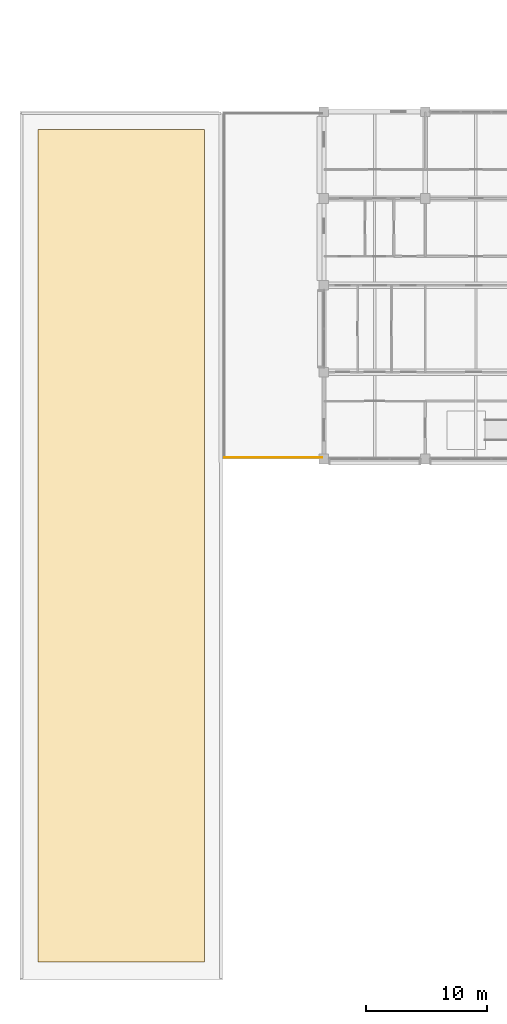
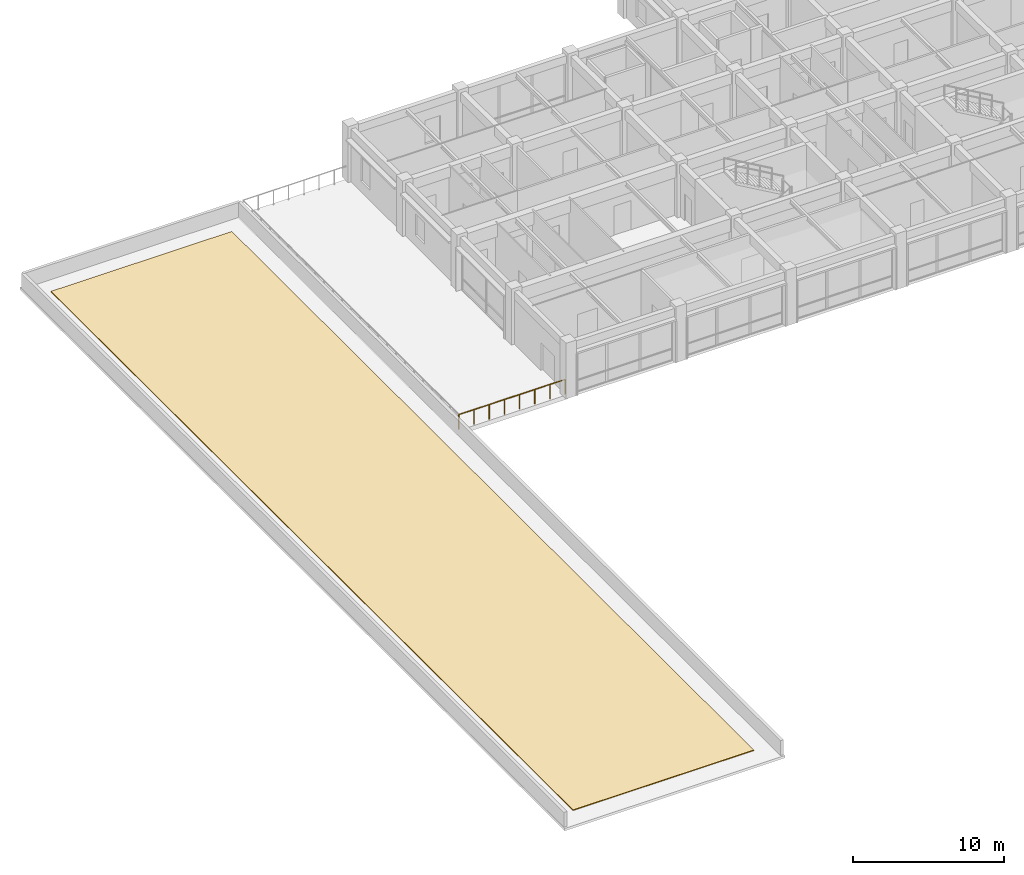
# One storey, part 34 of 40: 1 covering, 1 railing.
"""IFC4 building model written with IfcOpenShell, lengths in metres."""

from ifc_helpers import new_model, si_unit, direction, frame, origin, origin_2d, place, context, subcontext, project, spatial, polyline, circle, outline, extrude, material, layer, layer_set, type_object, element, save


model = new_model("IFC4")

# Units and contexts
model_context = context("Model", 3, precision=1e-05, world=origin(), true_north=direction((0.0, 1.0)))
body_context = subcontext(model_context, "Body", "Model", "MODEL_VIEW")
ifc_project = project(units=[si_unit("LENGTHUNIT", "METRE"), si_unit("AREAUNIT", "SQUARE_METRE"), si_unit("VOLUMEUNIT", "CUBIC_METRE"), si_unit("PLANEANGLEUNIT", "RADIAN"), si_unit("MASSUNIT", "GRAM", prefix="KILO")], contexts=[model_context])

# Site, building, storey
site_placement = place(None, origin())
site = spatial("IfcSite", under=ifc_project, at=site_placement, CompositionType="ELEMENT")
building_placement = place(site_placement, origin())
building = spatial("IfcBuilding", under=site, at=building_placement, Name="Chengyuan Square Courthouse", CompositionType="ELEMENT")
storey_placement = place(building_placement, frame((0.0, 0.0, 21.60009765625)))
storey = spatial("IfcBuildingStorey", under=building, at=storey_placement, Name="L05", CompositionType="ELEMENT", Elevation=21.60009765625)

# Covering
ifc_material_1 = material(Name="TPO Waterproof Membrane and Extruded Polystyrene Insulation")
ifc_layer = layer(ifc_material_1, 0.06005859375)
ifc_layer_set = layer_set([ifc_layer], Name="TPO Waterproof Membrane and Extruded Polystyrene Insulation")
covering_type = type_object("IfcCoveringType", Name="RFG-01", PredefinedType="ROOFING", material=ifc_layer_set)
covering_placement = place(storey_placement, origin())
element("IfcCovering", 1, at=covering_placement, inside=storey, type_object=covering_type, Name="Roof Waterproofing Membrane RFG-L05-03", PredefinedType="ROOFING", context=body_context, shape_type="SweptSolid", body=[
    extrude(outline(polyline([(1.5, 37.5), (15.300048828125, 37.5), (15.300048828125, 106.5), (1.5, 106.5), (1.5, 37.5)])), origin(), (0.0, 0.0, 1.0), 0.059814453125),
])

# Railing
ifc_material_2 = material(Name="Stainless Steel S30408 and Laminated Glass Balustrade", Category="steel")
railing_type = type_object("IfcRailingType", Name="RL-01", PredefinedType="BALUSTRADE", material=ifc_material_2)
railing_placement = place(storey_placement, frame((25.06005859375, 79.340087890625, 0.0)))
element("IfcRailing", 2, at=railing_placement, inside=storey, type_object=railing_type, Name="Terrace Safety Balustrade RL-TER-009", PredefinedType="BALUSTRADE", context=body_context, shape_type="SweptSolid", body=[
    extrude(circle(Radius=0.02392578125, at=origin_2d()), frame((0.0, 0.0, 1.17578125), z_axis=(-1.0, 0.0, 0.0), x_axis=(0.0, -1.0, 0.0)), (0.0, 0.0, 1.0), 8.1201171875),
    extrude(circle(Radius=0.02099609375, at=origin_2d()), origin(), (0.0, 0.0, 1.0), 1.15185546875),
    extrude(circle(Radius=0.02099609375, at=origin_2d()), frame((-1.159912109375, 0.0, 0.0)), (0.0, 0.0, 1.0), 1.15185546875),
    extrude(circle(Radius=0.02099609375, at=origin_2d()), frame((-2.320068359375, 0.0, 0.0)), (0.0, 0.0, 1.0), 1.15185546875),
    extrude(circle(Radius=0.02099609375, at=origin_2d()), frame((-3.47998046875, 0.0, 0.0)), (0.0, 0.0, 1.0), 1.15185546875),
    extrude(circle(Radius=0.02099609375, at=origin_2d()), frame((-4.64013671875, 0.0, 0.0)), (0.0, 0.0, 1.0), 1.15185546875),
    extrude(circle(Radius=0.02099609375, at=origin_2d()), frame((-5.800048828125, 0.0, 0.0)), (0.0, 0.0, 1.0), 1.15185546875),
    extrude(circle(Radius=0.02099609375, at=origin_2d()), frame((-6.960205078125, 0.0, 0.0)), (0.0, 0.0, 1.0), 1.15185546875),
    extrude(circle(Radius=0.02099609375, at=origin_2d()), frame((-8.1201171875, 0.0, 0.0)), (0.0, 0.0, 1.0), 1.15185546875),
])

save(model, "model.ifc")
